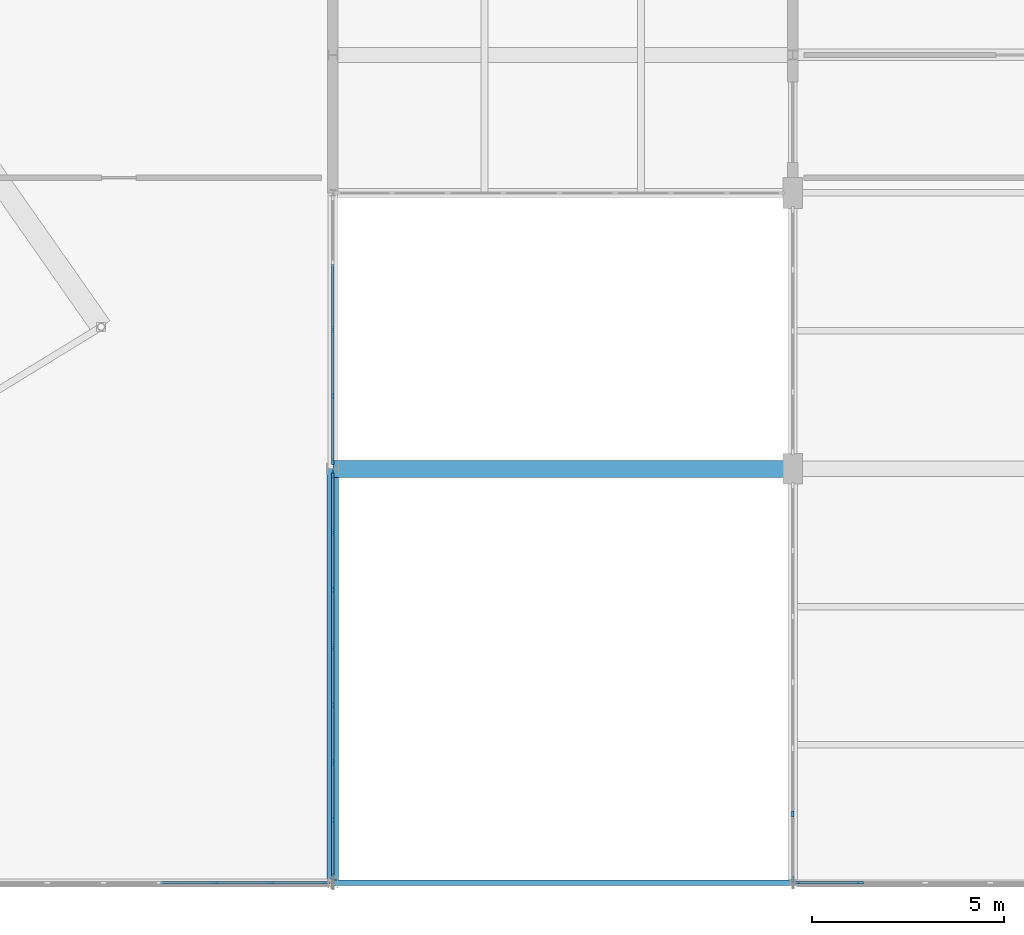
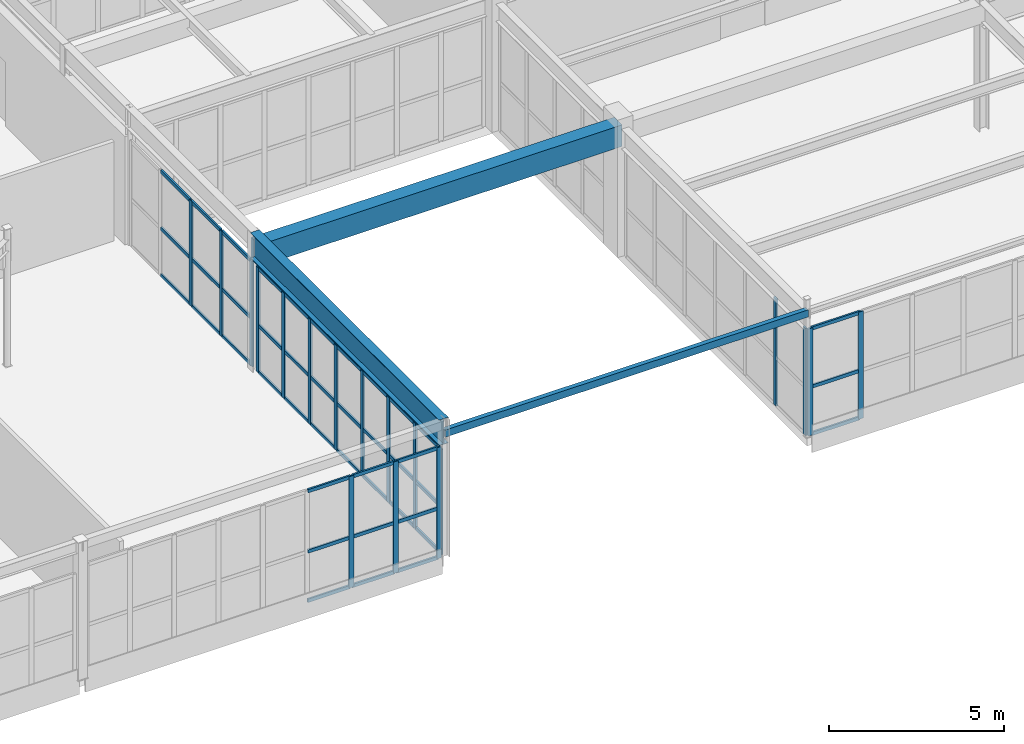
# One storey, part 84 of 186: 60 members, 3 beams, 5 elements without a shape of their own.
"""IFC4 building model written with IfcOpenShell, lengths in metres."""

import ifcopenshell
import ifcopenshell.guid

model = None  # the IFC model being written
_history = None  # IfcOwnerHistory: only IFC2X3 demands one
_inside = {}  # id of a spatial element -> (the spatial element, [elements in it])
_under = {}  # id of a project, library or spatial element -> (it, [spatial elements below it])
_declared = {}  # id of a project -> (the project, [libraries it declares])
_typed = {}  # id of a type object -> (the type object, [elements of that type])
_made_of = {}  # id of a material, layer set ... -> (it, [elements and type objects made of it])


def new_model(schema):
    """Start an empty IFC model of exactly this schema.

    Asked for "IFC4X3", IfcOpenShell would pick the latest addendum, in which some entities
    have other attributes; the version numbers below select the first issue.
    IFC2X3 requires an IfcOwnerHistory on every rooted entity: one is made here for all.
    """
    global model, _history
    if schema == "IFC4X3":
        model = ifcopenshell.file(schema_version=(4, 3, 0, 0))
    else:
        model = ifcopenshell.file(schema=schema)
    _inside.clear()
    _under.clear()
    _declared.clear()
    _typed.clear()
    _made_of.clear()
    _history = None
    if model.schema == "IFC2X3":
        org = make("IfcOrganization", Name="unknown")
        user = make(
            "IfcPersonAndOrganization",
            ThePerson=make("IfcPerson", FamilyName="unknown"),
            TheOrganization=org,
        )
        app = make(
            "IfcApplication",
            ApplicationDeveloper=org,
            Version="unknown",
            ApplicationFullName="unknown",
            ApplicationIdentifier="unknown",
        )
        _history = make(
            "IfcOwnerHistory",
            OwningUser=user,
            OwningApplication=app,
            ChangeAction="ADDED",
            CreationDate=0,
        )
    return model


def make(cls, **values):
    """One entity of the class cls with the attributes given. An attribute that is None is left unset."""
    return model.create_entity(
        cls, **{name: value for name, value in values.items() if value is not None}
    )


def rooted(cls, **values):
    """An entity with a GlobalId (a new one), such as an element, a storey or a relation."""
    return make(cls, GlobalId=ifcopenshell.guid.new(), OwnerHistory=_history, **values)


def si_unit(unit_type, name, prefix=None):
    """IfcSIUnit, for example si_unit("LENGTHUNIT", "METRE", prefix="MILLI")."""
    return make("IfcSIUnit", UnitType=unit_type, Prefix=prefix, Name=name)


def assignment(units):
    """IfcUnitAssignment: the units of a project."""
    return None if units is None else make("IfcUnitAssignment", Units=units)


def point(xyz):
    """IfcCartesianPoint."""
    return None if xyz is None else make("IfcCartesianPoint", Coordinates=xyz)


def direction(xyz):
    """IfcDirection."""
    return None if xyz is None else make("IfcDirection", DirectionRatios=xyz)


def frame(location, z_axis=None, x_axis=None):
    """IfcAxis2Placement3D, a coordinate frame: its origin and axes. An axis left out is left unset."""
    return make(
        "IfcAxis2Placement3D",
        Location=point(location),
        Axis=direction(z_axis),
        RefDirection=direction(x_axis),
    )


def frame_2d(location, x_axis=None):
    """IfcAxis2Placement2D, a coordinate frame in the plane: its origin and x axis."""
    return make(
        "IfcAxis2Placement2D", Location=point(location), RefDirection=direction(x_axis)
    )


def origin():
    """The frame at (0, 0, 0) with its axes left unset."""
    return frame((0.0, 0.0, 0.0))


def origin_2d():
    """The frame at (0, 0) in the plane with its x axis left unset."""
    return frame_2d((0.0, 0.0))


def place(relative_to, where):
    """IfcLocalPlacement: puts the frame where relative to a parent placement (None: the world)."""
    return make(
        "IfcLocalPlacement", PlacementRelTo=relative_to, RelativePlacement=where
    )


def context(
    kind, dimensions, precision=None, world=None, true_north=None, identifier=None
):
    """IfcGeometricRepresentationContext, for example the 3D "Model" context."""
    return make(
        "IfcGeometricRepresentationContext",
        ContextIdentifier=identifier,
        ContextType=kind,
        CoordinateSpaceDimension=dimensions,
        Precision=precision,
        WorldCoordinateSystem=world,
        TrueNorth=true_north,
    )


def subcontext(parent, identifier, kind, view, scale=None):
    """IfcGeometricRepresentationSubContext, for example "Body" below "Model"."""
    return make(
        "IfcGeometricRepresentationSubContext",
        ContextIdentifier=identifier,
        ContextType=kind,
        ParentContext=parent,
        TargetScale=scale,
        TargetView=view,
    )


def project(units=None, contexts=None):
    """IfcProject with its units and contexts."""
    return rooted(
        "IfcProject",
        Name="project",
        RepresentationContexts=contexts,
        UnitsInContext=assignment(units),
    )


def spatial(cls, under=None, at=None, **own):
    """A site, building, storey or space (cls), placed at a placement, below another one or the project."""
    s = rooted(cls, ObjectPlacement=at, **own)
    if under is not None:
        _under.setdefault(under.id(), (under, []))[1].append(s)
    return s


def profile(cls, at=None, kind="AREA", **sizes):
    """A parametric profile (cls). Its sizes go by their IFC names, for example OverallWidth=200.0."""
    return make(cls, ProfileType=kind, Position=at, **sizes)


def rectangle(**sizes):
    """IfcRectangleProfileDef."""
    return profile("IfcRectangleProfileDef", **sizes)


def hollow_rectangle(**sizes):
    """IfcRectangleHollowProfileDef."""
    return profile("IfcRectangleHollowProfileDef", **sizes)


def i_section(**sizes):
    """IfcIShapeProfileDef."""
    return profile("IfcIShapeProfileDef", **sizes)


def extrude(swept, where, along, depth):
    """IfcExtrudedAreaSolid: the profile swept, set in the frame where, extruded along a direction by depth."""
    return make(
        "IfcExtrudedAreaSolid",
        SweptArea=swept,
        Position=where,
        ExtrudedDirection=direction(along),
        Depth=depth,
    )


def shape(context_of_items, identifier, shape_type, items):
    """IfcShapeRepresentation: the items that make up one representation, for example the "Body"."""
    return make(
        "IfcShapeRepresentation",
        ContextOfItems=context_of_items,
        RepresentationIdentifier=identifier,
        RepresentationType=shape_type,
        Items=items,
    )


def material(Name=None, Category=None):
    """IfcMaterial."""
    return make("IfcMaterial", Name=Name, Category=Category)


def layer(
    of_material, thickness, ventilated=None, Name=None, Category=None, Priority=None
):
    """IfcMaterialLayer: one layer of a wall or slab, of a material (None: an air gap)."""
    return make(
        "IfcMaterialLayer",
        Material=of_material,
        LayerThickness=thickness,
        IsVentilated=ventilated,
        Name=Name,
        Category=Category,
        Priority=Priority,
    )


def layer_set(layers, Name=None):
    """IfcMaterialLayerSet."""
    return make("IfcMaterialLayerSet", MaterialLayers=layers, LayerSetName=Name)


def material_profile(
    of_material, cross_section, Name=None, Category=None, Priority=None
):
    """IfcMaterialProfile: a cross section and its material."""
    return make(
        "IfcMaterialProfile",
        Name=Name,
        Material=of_material,
        Profile=cross_section,
        Priority=Priority,
        Category=Category,
    )


def profile_set(profiles, Name=None, composite=None):
    """IfcMaterialProfileSet."""
    return make(
        "IfcMaterialProfileSet",
        Name=Name,
        MaterialProfiles=profiles,
        CompositeProfile=composite,
    )


def made_of(thing, what):
    """Note that an element or type object is made of a material, layer set ...; save() writes the relation."""
    if what is not None:
        _made_of.setdefault(what.id(), (what, []))[1].append(thing)
    return thing


def type_object(cls, material=None, **own):
    """A type object (cls), such as IfcWallType, which elements share."""
    return made_of(rooted(cls, **own), material)


def element(
    cls,
    number,
    at=None,
    inside=None,
    cuts=None,
    type_object=None,
    material=None,
    context=None,
    identifier="Body",
    shape_type=None,
    held_by="IfcProductDefinitionShape",
    body=None,
    shapes=None,
    **own,
):
    """One element of the class cls, such as IfcWall. Its Tag is "e" and its number.

    at: its placement. inside: the storey or other place that contains it. cuts: it is an
    opening in that element (IfcRelVoidsElement). A single representation is given by context,
    identifier, shape_type and body (its items); several are given by shapes. held_by: the class
    of the entity that holds the representations. save() writes the other relations.
    """
    e = rooted(cls, Tag="e%d" % number, ObjectPlacement=at, **own)
    if body is not None:
        shapes = [shape(context, identifier, shape_type, body)]
    if shapes is not None:
        e.Representation = make(held_by, Representations=shapes)
    if inside is not None:
        _inside.setdefault(inside.id(), (inside, []))[1].append(e)
    if cuts is not None:
        rooted(
            "IfcRelVoidsElement", RelatingBuildingElement=cuts, RelatedOpeningElement=e
        )
    if type_object is not None:
        _typed.setdefault(type_object.id(), (type_object, []))[1].append(e)
    return made_of(e, material)


def aggregate(whole, parts):
    """IfcRelAggregates: a whole, such as a stair, and the parts it consists of."""
    return rooted("IfcRelAggregates", RelatingObject=whole, RelatedObjects=parts)


def save(model, path):
    """Write the relations noted so far, then the file.

    IfcRelAggregates (storeys below a building ...), IfcRelContainedInSpatialStructure (elements
    in a storey), IfcRelDefinesByType, IfcRelAssociatesMaterial and IfcRelDeclares: one each for
    every whole, place, type object, material and project.
    """
    for whole, parts in _under.values():
        aggregate(whole, parts)
    for where, things in _inside.values():
        rooted(
            "IfcRelContainedInSpatialStructure",
            RelatedElements=things,
            RelatingStructure=where,
        )
    for kind, things in _typed.values():
        rooted("IfcRelDefinesByType", RelatedObjects=things, RelatingType=kind)
    for what, things in _made_of.values():
        rooted("IfcRelAssociatesMaterial", RelatedObjects=things, RelatingMaterial=what)
    for by, libraries in _declared.values():
        rooted("IfcRelDeclares", RelatingContext=by, RelatedDefinitions=libraries)
    model.write(path)


model = new_model("IFC4")

# Units and contexts
model_context = context("Model", 3, precision=1e-05, world=origin(), true_north=direction((0.0, 1.0)))
body_context = subcontext(model_context, "Body", "Model", "MODEL_VIEW")
ifc_project = project(units=[si_unit("LENGTHUNIT", "METRE"), si_unit("AREAUNIT", "SQUARE_METRE"), si_unit("VOLUMEUNIT", "CUBIC_METRE"), si_unit("PLANEANGLEUNIT", "RADIAN"), si_unit("MASSUNIT", "GRAM", prefix="KILO")], contexts=[model_context])

# Site, building, storey
site_placement = place(None, origin())
site = spatial("IfcSite", under=ifc_project, at=site_placement, CompositionType="ELEMENT")
building_placement = place(site_placement, origin())
building = spatial("IfcBuilding", under=site, at=building_placement, Name="Tarnwether General Hospital", CompositionType="ELEMENT")
storey_placement = place(building_placement, frame((0.0, 0.0, 9.60009765625)))
storey = spatial("IfcBuildingStorey", under=building, at=storey_placement, Name="L02", CompositionType="ELEMENT", Elevation=9.60009765625)

# Beams
ifc_material_1 = material(Name="Steel Grade 350 (350 MPa)", Category="steel")
ifc_material_profile_1 = material_profile(ifc_material_1, i_section(OverallWidth=0.300048828125, OverallDepth=0.89990234375, WebThickness=0.011962890625, FlangeThickness=0.02001953125, at=origin_2d()), Name="900WB175")
ifc_profile_set_1 = profile_set([ifc_material_profile_1], Name="Steel Grade 350 (350 MPa)")
beam_type_1 = type_object("IfcBeamType", Name="BM-G01", PredefinedType="BEAM", material=ifc_profile_set_1)
beam_1_placement = place(storey_placement, frame((132.0, 0.0, 4.349853515625), z_axis=(0.0, 1.0, 0.0), x_axis=(-1.0, 0.0, 0.0)))
element("IfcBeam", 1, at=beam_1_placement, inside=storey, type_object=beam_type_1, Name="Primary Girder BMG-L02-13200_0-13200_1080-1550", PredefinedType="BEAM", context=body_context, shape_type="SweptSolid", body=[
    extrude(i_section(OverallWidth=0.300048828125, OverallDepth=0.89990234375, WebThickness=0.011962890625, FlangeThickness=0.02001953125, at=origin_2d()), origin(), (0.0, 0.0, 1.0), 10.800048828125),
])
ifc_material_2 = material(Name="Concrete 40 MPa", Category="concrete")
ifc_material_profile_2 = material_profile(ifc_material_2, rectangle(XDim=0.449951171875, YDim=0.75, at=origin_2d()), Name="RC-BM-450x750")
ifc_profile_set_2 = profile_set([ifc_material_profile_2], Name="Concrete 40 MPa")
beam_type_2 = type_object("IfcBeamType", Name="BM-G13", PredefinedType="BEAM", material=ifc_profile_set_2)
beam_2_placement = place(storey_placement, frame((132.0, 10.800048828125, 4.06982421875), z_axis=(1.0, 0.0, 0.0), x_axis=(0.0, 1.0, 0.0)))
element("IfcBeam", 2, at=beam_2_placement, inside=storey, type_object=beam_type_2, Name="Primary Girder BMG-L02-13200_1080-14400_1080-1551", PredefinedType="BEAM", context=body_context, shape_type="SweptSolid", body=[
    extrude(rectangle(XDim=0.449951171875, YDim=0.75, at=origin_2d()), origin(), (0.0, 0.0, 1.0), 12.0),
])
ifc_material_3 = material(Name="Steel Grade C350L0 (350 MPa)", Category="steel")
ifc_material_profile_3 = material_profile(ifc_material_3, hollow_rectangle(XDim=0.14990234375, YDim=0.25, WallThickness=0.010009765625, at=origin_2d()), Name="RHS250x150x10")
ifc_profile_set_3 = profile_set([ifc_material_profile_3], Name="Steel Grade C350L0 (350 MPa)")
beam_type_3 = type_object("IfcBeamType", Name="BM-SP4", PredefinedType="SPANDREL", material=ifc_profile_set_3)
beam_3_placement = place(storey_placement, frame((132.0, 0.0, 4.31982421875), z_axis=(1.0, 0.0, 0.0), x_axis=(0.0, 1.0, 0.0)))
element("IfcBeam", 3, at=beam_3_placement, inside=storey, type_object=beam_type_3, Name="Primary Girder BMG-L02-13200_0-14400_0-1549", PredefinedType="SPANDREL", context=body_context, shape_type="SweptSolid", body=[
    extrude(hollow_rectangle(XDim=0.14990234375, YDim=0.25, WallThickness=0.010009765625, at=origin_2d()), origin(), (0.0, 0.0, 1.0), 12.0),
])

# Curtain wall, members
ifc_material_4 = material(Name="Anodised aluminium", Category="aluminium")
ifc_layer_1 = layer(ifc_material_4, 0.159912109375)
ifc_layer_set_1 = layer_set([ifc_layer_1], Name="Anodised aluminium")
curtain_wall_type_1 = type_object("IfcCurtainWallType", Name="CW-13", PredefinedType="NOTDEFINED", material=ifc_layer_set_1)
curtain_wall_1_placement = place(storey_placement, origin())
curtain_wall_1 = element("IfcCurtainWall", 4, at=curtain_wall_1_placement, inside=storey, type_object=curtain_wall_type_1, Name="Curtain Wall CWG-L02-1319_0-0409", PredefinedType="NOTDEFINED")
ifc_material_5 = material(Name="Anodised aluminium", Category="aluminium")
ifc_material_profile_4 = material_profile(ifc_material_5, rectangle(XDim=0.06005859375, YDim=0.159912109375, at=origin_2d()), Name="ALU-MUL-60x160")
ifc_profile_set_4 = profile_set([ifc_material_profile_4], Name="Anodised aluminium")
member_type_1 = type_object("IfcMemberType", Name="CW-ML1", PredefinedType="MULLION", material=ifc_profile_set_4)
member_1_placement = place(storey_placement, frame((131.8349609375, 0.0, 0.0), z_axis=(0.0, 0.0, 1.0), x_axis=(0.0, -1.0, 0.0)))
member_1 = element("IfcMember", 5, at=member_1_placement, type_object=member_type_1, Name="CW-13 mullion 1", PredefinedType="MULLION", context=body_context, shape_type="SweptSolid", body=[
    extrude(rectangle(XDim=0.06005859375, YDim=0.159912109375, at=origin_2d()), origin(), (0.0, 0.0, 1.0), 3.885009765625),
])
member_2_placement = place(storey_placement, frame((130.401611328125, 0.0, 0.0), z_axis=(0.0, 0.0, 1.0), x_axis=(0.0, -1.0, 0.0)))
member_2 = element("IfcMember", 6, at=member_2_placement, type_object=member_type_1, Name="CW-13 mullion 2", PredefinedType="MULLION", context=body_context, shape_type="SweptSolid", body=[
    extrude(rectangle(XDim=0.06005859375, YDim=0.159912109375, at=origin_2d()), origin(), (0.0, 0.0, 1.0), 3.885009765625),
])
member_3_placement = place(storey_placement, frame((128.938232421875, 0.0, 0.0), z_axis=(0.0, 0.0, 1.0), x_axis=(0.0, -1.0, 0.0)))
member_3 = element("IfcMember", 7, at=member_3_placement, type_object=member_type_1, Name="CW-13 mullion 3", PredefinedType="MULLION", context=body_context, shape_type="SweptSolid", body=[
    extrude(rectangle(XDim=0.06005859375, YDim=0.159912109375, at=origin_2d()), origin(), (0.0, 0.0, 1.0), 3.885009765625),
])

ifc_material_6 = material(Name="Anodised aluminium", Category="aluminium")
ifc_layer_2 = layer(ifc_material_6, 0.159912109375)
ifc_layer_set_2 = layer_set([ifc_layer_2], Name="Anodised aluminium")
curtain_wall_type_2 = type_object("IfcCurtainWallType", Name="CW-15", PredefinedType="NOTDEFINED", material=ifc_layer_set_2)
curtain_wall_2_placement = place(storey_placement, origin())
curtain_wall_2 = element("IfcCurtainWall", 8, at=curtain_wall_2_placement, inside=storey, type_object=curtain_wall_type_2, Name="Curtain Wall CWG-L02-1320_179-0434", PredefinedType="NOTDEFINED")
member_4_placement = place(storey_placement, frame((132.0, 14.4365234375, 0.0), z_axis=(0.0, 0.0, 1.0), x_axis=(1.0, 0.0, 0.0)))
member_4 = element("IfcMember", 9, at=member_4_placement, type_object=member_type_1, Name="CW-15 mullion 3", PredefinedType="MULLION", context=body_context, shape_type="SweptSolid", body=[
    extrude(rectangle(XDim=0.06005859375, YDim=0.159912109375, at=origin_2d()), origin(), (0.0, 0.0, 1.0), 3.679931640625),
])
member_5_placement = place(storey_placement, frame((132.0, 12.6982421875, 0.0), z_axis=(0.0, 0.0, 1.0), x_axis=(1.0, 0.0, 0.0)))
member_5 = element("IfcMember", 10, at=member_5_placement, type_object=member_type_1, Name="CW-15 mullion 4", PredefinedType="MULLION", context=body_context, shape_type="SweptSolid", body=[
    extrude(rectangle(XDim=0.06005859375, YDim=0.159912109375, at=origin_2d()), origin(), (0.0, 0.0, 1.0), 3.679931640625),
])
member_6_placement = place(storey_placement, frame((132.0, 10.989990234375, 0.0), z_axis=(0.0, 0.0, 1.0), x_axis=(1.0, 0.0, 0.0)))
member_6 = element("IfcMember", 11, at=member_6_placement, type_object=member_type_1, Name="CW-15 mullion 5", PredefinedType="MULLION", context=body_context, shape_type="SweptSolid", body=[
    extrude(rectangle(XDim=0.06005859375, YDim=0.159912109375, at=origin_2d()), origin(), (0.0, 0.0, 1.0), 3.679931640625),
])

curtain_wall_3_placement = place(storey_placement, origin())
curtain_wall_3 = element("IfcCurtainWall", 12, at=curtain_wall_3_placement, inside=storey, type_object=curtain_wall_type_2, Name="Curtain Wall CWG-L02-1320_106-0435", PredefinedType="NOTDEFINED")
member_7_placement = place(storey_placement, frame((132.0, 10.610107421875, 0.0), z_axis=(0.0, 0.0, 1.0), x_axis=(1.0, 0.0, 0.0)))
member_7 = element("IfcMember", 13, at=member_7_placement, type_object=member_type_1, Name="CW-15 mullion 1", PredefinedType="MULLION", context=body_context, shape_type="SweptSolid", body=[
    extrude(rectangle(XDim=0.06005859375, YDim=0.159912109375, at=origin_2d()), origin(), (0.0, 0.0, 1.0), 3.679931640625),
])
member_8_placement = place(storey_placement, frame((132.0, 9.139404296875, 0.0), z_axis=(0.0, 0.0, 1.0), x_axis=(1.0, 0.0, 0.0)))
member_8 = element("IfcMember", 14, at=member_8_placement, type_object=member_type_1, Name="CW-15 mullion 2", PredefinedType="MULLION", context=body_context, shape_type="SweptSolid", body=[
    extrude(rectangle(XDim=0.06005859375, YDim=0.159912109375, at=origin_2d()), origin(), (0.0, 0.0, 1.0), 3.679931640625),
])
member_9_placement = place(storey_placement, frame((132.0, 7.638671875, 0.0), z_axis=(0.0, 0.0, 1.0), x_axis=(1.0, 0.0, 0.0)))
member_9 = element("IfcMember", 15, at=member_9_placement, type_object=member_type_1, Name="CW-15 mullion 3", PredefinedType="MULLION", context=body_context, shape_type="SweptSolid", body=[
    extrude(rectangle(XDim=0.06005859375, YDim=0.159912109375, at=origin_2d()), origin(), (0.0, 0.0, 1.0), 3.679931640625),
])
member_10_placement = place(storey_placement, frame((132.0, 6.137939453125, 0.0), z_axis=(0.0, 0.0, 1.0), x_axis=(1.0, 0.0, 0.0)))
member_10 = element("IfcMember", 16, at=member_10_placement, type_object=member_type_1, Name="CW-15 mullion 4", PredefinedType="MULLION", context=body_context, shape_type="SweptSolid", body=[
    extrude(rectangle(XDim=0.06005859375, YDim=0.159912109375, at=origin_2d()), origin(), (0.0, 0.0, 1.0), 3.679931640625),
])
member_11_placement = place(storey_placement, frame((132.0, 4.63720703125, 0.0), z_axis=(0.0, 0.0, 1.0), x_axis=(1.0, 0.0, 0.0)))
member_11 = element("IfcMember", 17, at=member_11_placement, type_object=member_type_1, Name="CW-15 mullion 5", PredefinedType="MULLION", context=body_context, shape_type="SweptSolid", body=[
    extrude(rectangle(XDim=0.06005859375, YDim=0.159912109375, at=origin_2d()), origin(), (0.0, 0.0, 1.0), 3.679931640625),
])
member_12_placement = place(storey_placement, frame((132.0, 3.136474609375, 0.0), z_axis=(0.0, 0.0, 1.0), x_axis=(1.0, 0.0, 0.0)))
member_12 = element("IfcMember", 18, at=member_12_placement, type_object=member_type_1, Name="CW-15 mullion 6", PredefinedType="MULLION", context=body_context, shape_type="SweptSolid", body=[
    extrude(rectangle(XDim=0.06005859375, YDim=0.159912109375, at=origin_2d()), origin(), (0.0, 0.0, 1.0), 3.679931640625),
])
member_13_placement = place(storey_placement, frame((132.0, 1.6357421875, 0.0), z_axis=(0.0, 0.0, 1.0), x_axis=(1.0, 0.0, 0.0)))
member_13 = element("IfcMember", 19, at=member_13_placement, type_object=member_type_1, Name="CW-15 mullion 7", PredefinedType="MULLION", context=body_context, shape_type="SweptSolid", body=[
    extrude(rectangle(XDim=0.06005859375, YDim=0.159912109375, at=origin_2d()), origin(), (0.0, 0.0, 1.0), 3.679931640625),
])
member_14_placement = place(storey_placement, frame((132.0, 0.1650390625, 0.0), z_axis=(0.0, 0.0, 1.0), x_axis=(1.0, 0.0, 0.0)))
member_14 = element("IfcMember", 20, at=member_14_placement, type_object=member_type_1, Name="CW-15 mullion 8", PredefinedType="MULLION", context=body_context, shape_type="SweptSolid", body=[
    extrude(rectangle(XDim=0.06005859375, YDim=0.159912109375, at=origin_2d()), origin(), (0.0, 0.0, 1.0), 3.679931640625),
])

curtain_wall_4_placement = place(storey_placement, origin())
curtain_wall_4 = element("IfcCurtainWall", 21, at=curtain_wall_4_placement, inside=storey, type_object=curtain_wall_type_2, Name="Curtain Wall CWG-L02-1440_1-0436", PredefinedType="NOTDEFINED")
member_15_placement = place(storey_placement, frame((144.0, 0.10107421875, 0.0), z_axis=(0.0, 0.0, 1.0), x_axis=(-1.0, 0.0, 0.0)))
member_15 = element("IfcMember", 22, at=member_15_placement, type_object=member_type_1, Name="CW-15 mullion 1", PredefinedType="MULLION", context=body_context, shape_type="SweptSolid", body=[
    extrude(rectangle(XDim=0.06005859375, YDim=0.159912109375, at=origin_2d()), origin(), (0.0, 0.0, 1.0), 3.73779296875),
])
member_16_placement = place(storey_placement, frame((144.0, 1.791259765625, 0.0), z_axis=(0.0, 0.0, 1.0), x_axis=(-1.0, 0.0, 0.0)))
member_16 = element("IfcMember", 23, at=member_16_placement, type_object=member_type_1, Name="CW-15 mullion 2", PredefinedType="MULLION", context=body_context, shape_type="SweptSolid", body=[
    extrude(rectangle(XDim=0.06005859375, YDim=0.159912109375, at=origin_2d()), origin(), (0.0, 0.0, 1.0), 3.73779296875),
])
aggregate(curtain_wall_4, [member_15, member_16])

ifc_material_7 = material(Name="Anodised aluminium", Category="aluminium")
ifc_layer_3 = layer(ifc_material_7, 0.159912109375)
ifc_layer_set_3 = layer_set([ifc_layer_3], Name="Anodised aluminium")
curtain_wall_type_3 = type_object("IfcCurtainWallType", Name="CW-19", PredefinedType="NOTDEFINED", material=ifc_layer_set_3)
curtain_wall_5_placement = place(storey_placement, origin())
curtain_wall_5 = element("IfcCurtainWall", 24, at=curtain_wall_5_placement, inside=storey, type_object=curtain_wall_type_3, Name="Curtain Wall CWG-L02-1559_0-0459", PredefinedType="NOTDEFINED")
member_17_placement = place(storey_placement, frame((145.764892578125, 0.0, 0.0), z_axis=(0.0, 0.0, 1.0), x_axis=(0.0, -1.0, 0.0)))
member_17 = element("IfcMember", 25, at=member_17_placement, type_object=member_type_1, Name="CW-19 mullion 7", PredefinedType="MULLION", context=body_context, shape_type="SweptSolid", body=[
    extrude(rectangle(XDim=0.06005859375, YDim=0.159912109375, at=origin_2d()), origin(), (0.0, 0.0, 1.0), 3.73779296875),
])
member_18_placement = place(storey_placement, frame((144.10107421875, 0.0, 0.0), z_axis=(0.0, 0.0, 1.0), x_axis=(0.0, -1.0, 0.0)))
member_18 = element("IfcMember", 26, at=member_18_placement, type_object=member_type_1, Name="CW-19 mullion 8", PredefinedType="MULLION", context=body_context, shape_type="SweptSolid", body=[
    extrude(rectangle(XDim=0.06005859375, YDim=0.159912109375, at=origin_2d()), origin(), (0.0, 0.0, 1.0), 3.73779296875),
])

# Member
ifc_material_8 = material(Name="Anodised aluminium", Category="aluminium")
ifc_material_profile_5 = material_profile(ifc_material_8, rectangle(XDim=0.06005859375, YDim=0.1201171875, at=origin_2d()), Name="ALU-TRN-60x120")
ifc_profile_set_5 = profile_set([ifc_material_profile_5], Name="Anodised aluminium")
member_type_2 = type_object("IfcMemberType", Name="CW-TR1", PredefinedType="USERDEFINED", material=ifc_profile_set_5)
member_19_placement = place(storey_placement, frame((131.804931640625, 0.0, 0.02978515625), z_axis=(-1.0, 0.0, 0.0), x_axis=(0.0, -1.0, 0.0)))
member_19 = element("IfcMember", 27, at=member_19_placement, type_object=member_type_2, Name="CW-13 transom 1.1", ObjectType="TRANSOM", PredefinedType="USERDEFINED", context=body_context, shape_type="SweptSolid", body=[
    extrude(rectangle(XDim=0.06005859375, YDim=0.1201171875, at=origin_2d()), origin(), (0.0, 0.0, 1.0), 1.373291015625),
])

member_20_placement = place(storey_placement, frame((131.804931640625, 0.0, 1.748291015625), z_axis=(-1.0, 0.0, 0.0), x_axis=(0.0, -1.0, 0.0)))
member_20 = element("IfcMember", 28, at=member_20_placement, type_object=member_type_2, Name="CW-13 transom 1.2", ObjectType="TRANSOM", PredefinedType="USERDEFINED", context=body_context, shape_type="SweptSolid", body=[
    extrude(rectangle(XDim=0.06005859375, YDim=0.1201171875, at=origin_2d()), origin(), (0.0, 0.0, 1.0), 1.373291015625),
])

member_21_placement = place(storey_placement, frame((131.804931640625, 0.0, 3.85498046875), z_axis=(-1.0, 0.0, 0.0), x_axis=(0.0, -1.0, 0.0)))
member_21 = element("IfcMember", 29, at=member_21_placement, type_object=member_type_2, Name="CW-13 transom 1.3", ObjectType="TRANSOM", PredefinedType="USERDEFINED", context=body_context, shape_type="SweptSolid", body=[
    extrude(rectangle(XDim=0.06005859375, YDim=0.1201171875, at=origin_2d()), origin(), (0.0, 0.0, 1.0), 1.373291015625),
])

member_22_placement = place(storey_placement, frame((130.37158203125, 0.0, 0.02978515625), z_axis=(-1.0, 0.0, 0.0), x_axis=(0.0, -1.0, 0.0)))
member_22 = element("IfcMember", 30, at=member_22_placement, type_object=member_type_2, Name="CW-13 transom 2.1", ObjectType="TRANSOM", PredefinedType="USERDEFINED", context=body_context, shape_type="SweptSolid", body=[
    extrude(rectangle(XDim=0.06005859375, YDim=0.1201171875, at=origin_2d()), origin(), (0.0, 0.0, 1.0), 1.4033203125),
])

member_23_placement = place(storey_placement, frame((130.37158203125, 0.0, 1.748291015625), z_axis=(-1.0, 0.0, 0.0), x_axis=(0.0, -1.0, 0.0)))
member_23 = element("IfcMember", 31, at=member_23_placement, type_object=member_type_2, Name="CW-13 transom 2.2", ObjectType="TRANSOM", PredefinedType="USERDEFINED", context=body_context, shape_type="SweptSolid", body=[
    extrude(rectangle(XDim=0.06005859375, YDim=0.1201171875, at=origin_2d()), origin(), (0.0, 0.0, 1.0), 1.4033203125),
])

member_24_placement = place(storey_placement, frame((130.37158203125, 0.0, 3.85498046875), z_axis=(-1.0, 0.0, 0.0), x_axis=(0.0, -1.0, 0.0)))
member_24 = element("IfcMember", 32, at=member_24_placement, type_object=member_type_2, Name="CW-13 transom 2.3", ObjectType="TRANSOM", PredefinedType="USERDEFINED", context=body_context, shape_type="SweptSolid", body=[
    extrude(rectangle(XDim=0.06005859375, YDim=0.1201171875, at=origin_2d()), origin(), (0.0, 0.0, 1.0), 1.4033203125),
])

member_25_placement = place(storey_placement, frame((128.908203125, 0.0, 0.02978515625), z_axis=(-1.0, 0.0, 0.0), x_axis=(0.0, -1.0, 0.0)))
member_25 = element("IfcMember", 33, at=member_25_placement, type_object=member_type_2, Name="CW-13 transom 3.1", ObjectType="TRANSOM", PredefinedType="USERDEFINED", context=body_context, shape_type="SweptSolid", body=[
    extrude(rectangle(XDim=0.06005859375, YDim=0.1201171875, at=origin_2d()), origin(), (0.0, 0.0, 1.0), 1.4033203125),
])

member_26_placement = place(storey_placement, frame((128.908203125, 0.0, 1.748291015625), z_axis=(-1.0, 0.0, 0.0), x_axis=(0.0, -1.0, 0.0)))
member_26 = element("IfcMember", 34, at=member_26_placement, type_object=member_type_2, Name="CW-13 transom 3.2", ObjectType="TRANSOM", PredefinedType="USERDEFINED", context=body_context, shape_type="SweptSolid", body=[
    extrude(rectangle(XDim=0.06005859375, YDim=0.1201171875, at=origin_2d()), origin(), (0.0, 0.0, 1.0), 1.4033203125),
])

member_27_placement = place(storey_placement, frame((128.908203125, 0.0, 3.85498046875), z_axis=(-1.0, 0.0, 0.0), x_axis=(0.0, -1.0, 0.0)))
member_27 = element("IfcMember", 35, at=member_27_placement, type_object=member_type_2, Name="CW-13 transom 3.3", ObjectType="TRANSOM", PredefinedType="USERDEFINED", context=body_context, shape_type="SweptSolid", body=[
    extrude(rectangle(XDim=0.06005859375, YDim=0.1201171875, at=origin_2d()), origin(), (0.0, 0.0, 1.0), 1.4033203125),
])

aggregate(curtain_wall_1, [member_1, member_2, member_3, member_19, member_20, member_21, member_22, member_23, member_24, member_25, member_26, member_27])

member_28_placement = place(storey_placement, frame((132.0, 16.144775390625, 0.02978515625), z_axis=(0.0, -1.0, 0.0), x_axis=(1.0, 0.0, 0.0)))
member_28 = element("IfcMember", 36, at=member_28_placement, type_object=member_type_2, Name="CW-15 transom 2.1", ObjectType="TRANSOM", PredefinedType="USERDEFINED", context=body_context, shape_type="SweptSolid", body=[
    extrude(rectangle(XDim=0.06005859375, YDim=0.1201171875, at=origin_2d()), origin(), (0.0, 0.0, 1.0), 1.67822265625),
])

member_29_placement = place(storey_placement, frame((132.0, 16.144775390625, 1.656005859375), z_axis=(0.0, -1.0, 0.0), x_axis=(1.0, 0.0, 0.0)))
member_29 = element("IfcMember", 37, at=member_29_placement, type_object=member_type_2, Name="CW-15 transom 2.2", ObjectType="TRANSOM", PredefinedType="USERDEFINED", context=body_context, shape_type="SweptSolid", body=[
    extrude(rectangle(XDim=0.06005859375, YDim=0.1201171875, at=origin_2d()), origin(), (0.0, 0.0, 1.0), 1.67822265625),
])

member_30_placement = place(storey_placement, frame((132.0, 16.144775390625, 3.64990234375), z_axis=(0.0, -1.0, 0.0), x_axis=(1.0, 0.0, 0.0)))
member_30 = element("IfcMember", 38, at=member_30_placement, type_object=member_type_2, Name="CW-15 transom 2.3", ObjectType="TRANSOM", PredefinedType="USERDEFINED", context=body_context, shape_type="SweptSolid", body=[
    extrude(rectangle(XDim=0.06005859375, YDim=0.1201171875, at=origin_2d()), origin(), (0.0, 0.0, 1.0), 1.67822265625),
])

member_31_placement = place(storey_placement, frame((132.0, 14.406494140625, 0.02978515625), z_axis=(0.0, -1.0, 0.0), x_axis=(1.0, 0.0, 0.0)))
member_31 = element("IfcMember", 39, at=member_31_placement, type_object=member_type_2, Name="CW-15 transom 3.1", ObjectType="TRANSOM", PredefinedType="USERDEFINED", context=body_context, shape_type="SweptSolid", body=[
    extrude(rectangle(XDim=0.06005859375, YDim=0.1201171875, at=origin_2d()), origin(), (0.0, 0.0, 1.0), 1.67822265625),
])

member_32_placement = place(storey_placement, frame((132.0, 14.406494140625, 1.656005859375), z_axis=(0.0, -1.0, 0.0), x_axis=(1.0, 0.0, 0.0)))
member_32 = element("IfcMember", 40, at=member_32_placement, type_object=member_type_2, Name="CW-15 transom 3.2", ObjectType="TRANSOM", PredefinedType="USERDEFINED", context=body_context, shape_type="SweptSolid", body=[
    extrude(rectangle(XDim=0.06005859375, YDim=0.1201171875, at=origin_2d()), origin(), (0.0, 0.0, 1.0), 1.67822265625),
])

member_33_placement = place(storey_placement, frame((132.0, 14.406494140625, 3.64990234375), z_axis=(0.0, -1.0, 0.0), x_axis=(1.0, 0.0, 0.0)))
member_33 = element("IfcMember", 41, at=member_33_placement, type_object=member_type_2, Name="CW-15 transom 3.3", ObjectType="TRANSOM", PredefinedType="USERDEFINED", context=body_context, shape_type="SweptSolid", body=[
    extrude(rectangle(XDim=0.06005859375, YDim=0.1201171875, at=origin_2d()), origin(), (0.0, 0.0, 1.0), 1.67822265625),
])

member_34_placement = place(storey_placement, frame((132.0, 12.668212890625, 0.02978515625), z_axis=(0.0, -1.0, 0.0), x_axis=(1.0, 0.0, 0.0)))
member_34 = element("IfcMember", 42, at=member_34_placement, type_object=member_type_2, Name="CW-15 transom 4.1", ObjectType="TRANSOM", PredefinedType="USERDEFINED", context=body_context, shape_type="SweptSolid", body=[
    extrude(rectangle(XDim=0.06005859375, YDim=0.1201171875, at=origin_2d()), origin(), (0.0, 0.0, 1.0), 1.648193359375),
])

member_35_placement = place(storey_placement, frame((132.0, 12.668212890625, 1.656005859375), z_axis=(0.0, -1.0, 0.0), x_axis=(1.0, 0.0, 0.0)))
member_35 = element("IfcMember", 43, at=member_35_placement, type_object=member_type_2, Name="CW-15 transom 4.2", ObjectType="TRANSOM", PredefinedType="USERDEFINED", context=body_context, shape_type="SweptSolid", body=[
    extrude(rectangle(XDim=0.06005859375, YDim=0.1201171875, at=origin_2d()), origin(), (0.0, 0.0, 1.0), 1.648193359375),
])

member_36_placement = place(storey_placement, frame((132.0, 12.668212890625, 3.64990234375), z_axis=(0.0, -1.0, 0.0), x_axis=(1.0, 0.0, 0.0)))
member_36 = element("IfcMember", 44, at=member_36_placement, type_object=member_type_2, Name="CW-15 transom 4.3", ObjectType="TRANSOM", PredefinedType="USERDEFINED", context=body_context, shape_type="SweptSolid", body=[
    extrude(rectangle(XDim=0.06005859375, YDim=0.1201171875, at=origin_2d()), origin(), (0.0, 0.0, 1.0), 1.648193359375),
])

aggregate(curtain_wall_2, [member_4, member_5, member_6, member_28, member_29, member_30, member_31, member_32, member_33, member_34, member_35, member_36])

member_37_placement = place(storey_placement, frame((132.0, 10.580078125, 0.02978515625), z_axis=(0.0, -1.0, 0.0), x_axis=(1.0, 0.0, 0.0)))
member_37 = element("IfcMember", 45, at=member_37_placement, type_object=member_type_2, Name="CW-15 transom 1.1", ObjectType="TRANSOM", PredefinedType="USERDEFINED", context=body_context, shape_type="SweptSolid", body=[
    extrude(rectangle(XDim=0.06005859375, YDim=0.1201171875, at=origin_2d()), origin(), (0.0, 0.0, 1.0), 1.410888671875),
])

member_38_placement = place(storey_placement, frame((132.0, 10.580078125, 1.656005859375), z_axis=(0.0, -1.0, 0.0), x_axis=(1.0, 0.0, 0.0)))
member_38 = element("IfcMember", 46, at=member_38_placement, type_object=member_type_2, Name="CW-15 transom 1.2", ObjectType="TRANSOM", PredefinedType="USERDEFINED", context=body_context, shape_type="SweptSolid", body=[
    extrude(rectangle(XDim=0.06005859375, YDim=0.1201171875, at=origin_2d()), origin(), (0.0, 0.0, 1.0), 1.410888671875),
])

member_39_placement = place(storey_placement, frame((132.0, 10.580078125, 3.64990234375), z_axis=(0.0, -1.0, 0.0), x_axis=(1.0, 0.0, 0.0)))
member_39 = element("IfcMember", 47, at=member_39_placement, type_object=member_type_2, Name="CW-15 transom 1.3", ObjectType="TRANSOM", PredefinedType="USERDEFINED", context=body_context, shape_type="SweptSolid", body=[
    extrude(rectangle(XDim=0.06005859375, YDim=0.1201171875, at=origin_2d()), origin(), (0.0, 0.0, 1.0), 1.410888671875),
])

member_40_placement = place(storey_placement, frame((132.0, 9.109375, 0.02978515625), z_axis=(0.0, -1.0, 0.0), x_axis=(1.0, 0.0, 0.0)))
member_40 = element("IfcMember", 48, at=member_40_placement, type_object=member_type_2, Name="CW-15 transom 2.1", ObjectType="TRANSOM", PredefinedType="USERDEFINED", context=body_context, shape_type="SweptSolid", body=[
    extrude(rectangle(XDim=0.06005859375, YDim=0.1201171875, at=origin_2d()), origin(), (0.0, 0.0, 1.0), 1.44091796875),
])

member_41_placement = place(storey_placement, frame((132.0, 9.109375, 1.656005859375), z_axis=(0.0, -1.0, 0.0), x_axis=(1.0, 0.0, 0.0)))
member_41 = element("IfcMember", 49, at=member_41_placement, type_object=member_type_2, Name="CW-15 transom 2.2", ObjectType="TRANSOM", PredefinedType="USERDEFINED", context=body_context, shape_type="SweptSolid", body=[
    extrude(rectangle(XDim=0.06005859375, YDim=0.1201171875, at=origin_2d()), origin(), (0.0, 0.0, 1.0), 1.44091796875),
])

member_42_placement = place(storey_placement, frame((132.0, 9.109375, 3.64990234375), z_axis=(0.0, -1.0, 0.0), x_axis=(1.0, 0.0, 0.0)))
member_42 = element("IfcMember", 50, at=member_42_placement, type_object=member_type_2, Name="CW-15 transom 2.3", ObjectType="TRANSOM", PredefinedType="USERDEFINED", context=body_context, shape_type="SweptSolid", body=[
    extrude(rectangle(XDim=0.06005859375, YDim=0.1201171875, at=origin_2d()), origin(), (0.0, 0.0, 1.0), 1.44091796875),
])

member_43_placement = place(storey_placement, frame((132.0, 7.608642578125, 0.02978515625), z_axis=(0.0, -1.0, 0.0), x_axis=(1.0, 0.0, 0.0)))
member_43 = element("IfcMember", 51, at=member_43_placement, type_object=member_type_2, Name="CW-15 transom 3.1", ObjectType="TRANSOM", PredefinedType="USERDEFINED", context=body_context, shape_type="SweptSolid", body=[
    extrude(rectangle(XDim=0.06005859375, YDim=0.1201171875, at=origin_2d()), origin(), (0.0, 0.0, 1.0), 1.440673828125),
])

member_44_placement = place(storey_placement, frame((132.0, 7.608642578125, 1.656005859375), z_axis=(0.0, -1.0, 0.0), x_axis=(1.0, 0.0, 0.0)))
member_44 = element("IfcMember", 52, at=member_44_placement, type_object=member_type_2, Name="CW-15 transom 3.2", ObjectType="TRANSOM", PredefinedType="USERDEFINED", context=body_context, shape_type="SweptSolid", body=[
    extrude(rectangle(XDim=0.06005859375, YDim=0.1201171875, at=origin_2d()), origin(), (0.0, 0.0, 1.0), 1.440673828125),
])

member_45_placement = place(storey_placement, frame((132.0, 7.608642578125, 3.64990234375), z_axis=(0.0, -1.0, 0.0), x_axis=(1.0, 0.0, 0.0)))
member_45 = element("IfcMember", 53, at=member_45_placement, type_object=member_type_2, Name="CW-15 transom 3.3", ObjectType="TRANSOM", PredefinedType="USERDEFINED", context=body_context, shape_type="SweptSolid", body=[
    extrude(rectangle(XDim=0.06005859375, YDim=0.1201171875, at=origin_2d()), origin(), (0.0, 0.0, 1.0), 1.440673828125),
])

member_46_placement = place(storey_placement, frame((132.0, 6.10791015625, 0.02978515625), z_axis=(0.0, -1.0, 0.0), x_axis=(1.0, 0.0, 0.0)))
member_46 = element("IfcMember", 54, at=member_46_placement, type_object=member_type_2, Name="CW-15 transom 4.1", ObjectType="TRANSOM", PredefinedType="USERDEFINED", context=body_context, shape_type="SweptSolid", body=[
    extrude(rectangle(XDim=0.06005859375, YDim=0.1201171875, at=origin_2d()), origin(), (0.0, 0.0, 1.0), 1.440673828125),
])

member_47_placement = place(storey_placement, frame((132.0, 6.10791015625, 1.656005859375), z_axis=(0.0, -1.0, 0.0), x_axis=(1.0, 0.0, 0.0)))
member_47 = element("IfcMember", 55, at=member_47_placement, type_object=member_type_2, Name="CW-15 transom 4.2", ObjectType="TRANSOM", PredefinedType="USERDEFINED", context=body_context, shape_type="SweptSolid", body=[
    extrude(rectangle(XDim=0.06005859375, YDim=0.1201171875, at=origin_2d()), origin(), (0.0, 0.0, 1.0), 1.440673828125),
])

member_48_placement = place(storey_placement, frame((132.0, 6.10791015625, 3.64990234375), z_axis=(0.0, -1.0, 0.0), x_axis=(1.0, 0.0, 0.0)))
member_48 = element("IfcMember", 56, at=member_48_placement, type_object=member_type_2, Name="CW-15 transom 4.3", ObjectType="TRANSOM", PredefinedType="USERDEFINED", context=body_context, shape_type="SweptSolid", body=[
    extrude(rectangle(XDim=0.06005859375, YDim=0.1201171875, at=origin_2d()), origin(), (0.0, 0.0, 1.0), 1.440673828125),
])

member_49_placement = place(storey_placement, frame((132.0, 4.607177734375, 0.02978515625), z_axis=(0.0, -1.0, 0.0), x_axis=(1.0, 0.0, 0.0)))
member_49 = element("IfcMember", 57, at=member_49_placement, type_object=member_type_2, Name="CW-15 transom 5.1", ObjectType="TRANSOM", PredefinedType="USERDEFINED", context=body_context, shape_type="SweptSolid", body=[
    extrude(rectangle(XDim=0.06005859375, YDim=0.1201171875, at=origin_2d()), origin(), (0.0, 0.0, 1.0), 1.440673828125),
])

member_50_placement = place(storey_placement, frame((132.0, 4.607177734375, 1.656005859375), z_axis=(0.0, -1.0, 0.0), x_axis=(1.0, 0.0, 0.0)))
member_50 = element("IfcMember", 58, at=member_50_placement, type_object=member_type_2, Name="CW-15 transom 5.2", ObjectType="TRANSOM", PredefinedType="USERDEFINED", context=body_context, shape_type="SweptSolid", body=[
    extrude(rectangle(XDim=0.06005859375, YDim=0.1201171875, at=origin_2d()), origin(), (0.0, 0.0, 1.0), 1.440673828125),
])

member_51_placement = place(storey_placement, frame((132.0, 4.607177734375, 3.64990234375), z_axis=(0.0, -1.0, 0.0), x_axis=(1.0, 0.0, 0.0)))
member_51 = element("IfcMember", 59, at=member_51_placement, type_object=member_type_2, Name="CW-15 transom 5.3", ObjectType="TRANSOM", PredefinedType="USERDEFINED", context=body_context, shape_type="SweptSolid", body=[
    extrude(rectangle(XDim=0.06005859375, YDim=0.1201171875, at=origin_2d()), origin(), (0.0, 0.0, 1.0), 1.440673828125),
])

member_52_placement = place(storey_placement, frame((132.0, 3.1064453125, 0.02978515625), z_axis=(0.0, -1.0, 0.0), x_axis=(1.0, 0.0, 0.0)))
member_52 = element("IfcMember", 60, at=member_52_placement, type_object=member_type_2, Name="CW-15 transom 6.1", ObjectType="TRANSOM", PredefinedType="USERDEFINED", context=body_context, shape_type="SweptSolid", body=[
    extrude(rectangle(XDim=0.06005859375, YDim=0.1201171875, at=origin_2d()), origin(), (0.0, 0.0, 1.0), 1.440673828125),
])

member_53_placement = place(storey_placement, frame((132.0, 3.1064453125, 1.656005859375), z_axis=(0.0, -1.0, 0.0), x_axis=(1.0, 0.0, 0.0)))
member_53 = element("IfcMember", 61, at=member_53_placement, type_object=member_type_2, Name="CW-15 transom 6.2", ObjectType="TRANSOM", PredefinedType="USERDEFINED", context=body_context, shape_type="SweptSolid", body=[
    extrude(rectangle(XDim=0.06005859375, YDim=0.1201171875, at=origin_2d()), origin(), (0.0, 0.0, 1.0), 1.440673828125),
])

member_54_placement = place(storey_placement, frame((132.0, 3.1064453125, 3.64990234375), z_axis=(0.0, -1.0, 0.0), x_axis=(1.0, 0.0, 0.0)))
member_54 = element("IfcMember", 62, at=member_54_placement, type_object=member_type_2, Name="CW-15 transom 6.3", ObjectType="TRANSOM", PredefinedType="USERDEFINED", context=body_context, shape_type="SweptSolid", body=[
    extrude(rectangle(XDim=0.06005859375, YDim=0.1201171875, at=origin_2d()), origin(), (0.0, 0.0, 1.0), 1.440673828125),
])

member_55_placement = place(storey_placement, frame((132.0, 1.605712890625, 0.02978515625), z_axis=(0.0, -1.0, 0.0), x_axis=(1.0, 0.0, 0.0)))
member_55 = element("IfcMember", 63, at=member_55_placement, type_object=member_type_2, Name="CW-15 transom 7.1", ObjectType="TRANSOM", PredefinedType="USERDEFINED", context=body_context, shape_type="SweptSolid", body=[
    extrude(rectangle(XDim=0.06005859375, YDim=0.1201171875, at=origin_2d()), origin(), (0.0, 0.0, 1.0), 1.41064453125),
])

member_56_placement = place(storey_placement, frame((132.0, 1.605712890625, 1.656005859375), z_axis=(0.0, -1.0, 0.0), x_axis=(1.0, 0.0, 0.0)))
member_56 = element("IfcMember", 64, at=member_56_placement, type_object=member_type_2, Name="CW-15 transom 7.2", ObjectType="TRANSOM", PredefinedType="USERDEFINED", context=body_context, shape_type="SweptSolid", body=[
    extrude(rectangle(XDim=0.06005859375, YDim=0.1201171875, at=origin_2d()), origin(), (0.0, 0.0, 1.0), 1.41064453125),
])

member_57_placement = place(storey_placement, frame((132.0, 1.605712890625, 3.64990234375), z_axis=(0.0, -1.0, 0.0), x_axis=(1.0, 0.0, 0.0)))
member_57 = element("IfcMember", 65, at=member_57_placement, type_object=member_type_2, Name="CW-15 transom 7.3", ObjectType="TRANSOM", PredefinedType="USERDEFINED", context=body_context, shape_type="SweptSolid", body=[
    extrude(rectangle(XDim=0.06005859375, YDim=0.1201171875, at=origin_2d()), origin(), (0.0, 0.0, 1.0), 1.41064453125),
])

aggregate(curtain_wall_3, [member_7, member_8, member_9, member_10, member_11, member_12, member_13, member_14, member_37, member_38, member_39, member_40, member_41, member_42, member_43, member_44, member_45, member_46, member_47, member_48, member_49, member_50, member_51, member_52, member_53, member_54, member_55, member_56, member_57])

member_58_placement = place(storey_placement, frame((145.735107421875, 0.0, 0.02978515625), z_axis=(-1.0, 0.0, 0.0), x_axis=(0.0, -1.0, 0.0)))
member_58 = element("IfcMember", 66, at=member_58_placement, type_object=member_type_2, Name="CW-19 transom 7.1", ObjectType="TRANSOM", PredefinedType="USERDEFINED", context=body_context, shape_type="SweptSolid", body=[
    extrude(rectangle(XDim=0.06005859375, YDim=0.1201171875, at=origin_2d()), origin(), (0.0, 0.0, 1.0), 1.60400390625),
])

member_59_placement = place(storey_placement, frame((145.735107421875, 0.0, 1.681884765625), z_axis=(-1.0, 0.0, 0.0), x_axis=(0.0, -1.0, 0.0)))
member_59 = element("IfcMember", 67, at=member_59_placement, type_object=member_type_2, Name="CW-19 transom 7.2", ObjectType="TRANSOM", PredefinedType="USERDEFINED", context=body_context, shape_type="SweptSolid", body=[
    extrude(rectangle(XDim=0.06005859375, YDim=0.1201171875, at=origin_2d()), origin(), (0.0, 0.0, 1.0), 1.60400390625),
])

member_60_placement = place(storey_placement, frame((145.735107421875, 0.0, 3.7080078125), z_axis=(-1.0, 0.0, 0.0), x_axis=(0.0, -1.0, 0.0)))
member_60 = element("IfcMember", 68, at=member_60_placement, type_object=member_type_2, Name="CW-19 transom 7.3", ObjectType="TRANSOM", PredefinedType="USERDEFINED", context=body_context, shape_type="SweptSolid", body=[
    extrude(rectangle(XDim=0.06005859375, YDim=0.1201171875, at=origin_2d()), origin(), (0.0, 0.0, 1.0), 1.60400390625),
])

aggregate(curtain_wall_5, [member_17, member_18, member_58, member_59, member_60])

save(model, "model.ifc")
